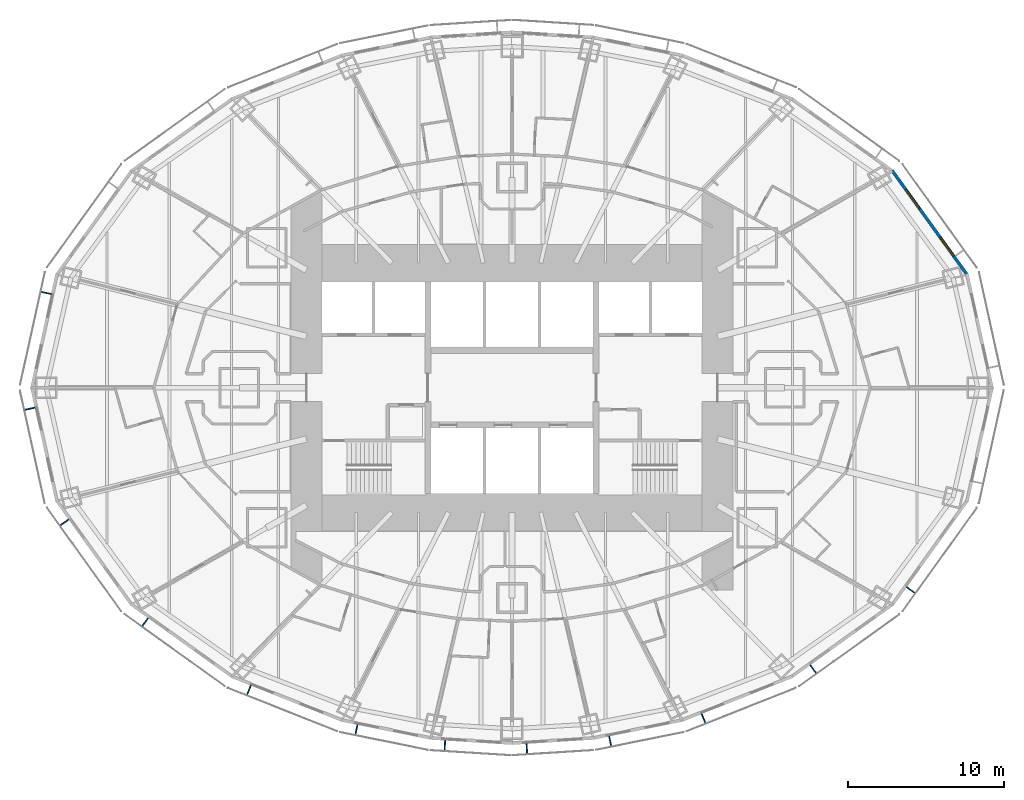
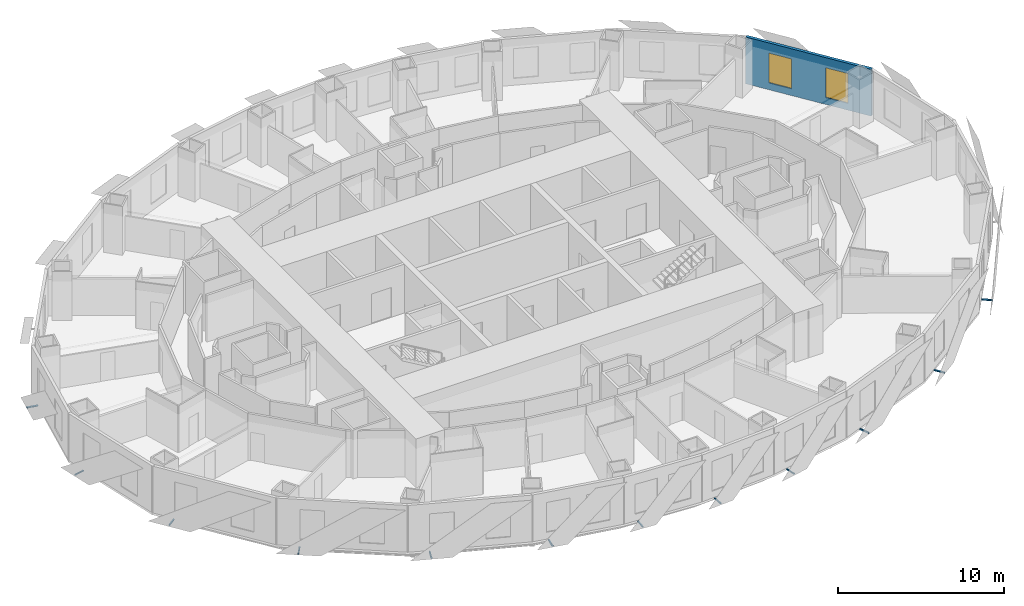
# One storey, part 11 of 15: 12 discrete accessories, 2 windows, 1 wall, 2 openings.
"""IFC4 building model written with IfcOpenShell, lengths in metres."""

from ifc_helpers import new_model, si_unit, direction, frame, frame_2d, origin, origin_2d, place, context, subcontext, project, spatial, rectangle, extrude, material, layer, layer_set, type_object, element, fill, save


model = new_model("IFC4")

# Units and contexts
model_context = context("Model", 3, precision=1e-05, world=origin(), true_north=direction((0.0, 1.0)))
body_context = subcontext(model_context, "Body", "Model", "MODEL_VIEW")
ifc_project = project(units=[si_unit("LENGTHUNIT", "METRE"), si_unit("AREAUNIT", "SQUARE_METRE"), si_unit("VOLUMEUNIT", "CUBIC_METRE"), si_unit("PLANEANGLEUNIT", "RADIAN"), si_unit("MASSUNIT", "GRAM", prefix="KILO")], contexts=[model_context])

# Site, building, storey
site_placement = place(None, origin())
site = spatial("IfcSite", under=ifc_project, at=site_placement, CompositionType="ELEMENT")
building_placement = place(site_placement, origin())
building = spatial("IfcBuilding", under=site, at=building_placement, Name="Lantaw Convention Tower", CompositionType="ELEMENT")
storey_placement = place(building_placement, frame((0.0, 0.0, 94.60009765625)))
storey = spatial("IfcBuildingStorey", under=building, at=storey_placement, Name="L22", CompositionType="ELEMENT", Elevation=94.60009765625)

# Wall, openings, windows
ifc_material_1 = material(Name="Insulated aluminium panel on steel frame", Category="steel")
ifc_layer = layer(ifc_material_1, 0.199951171875)
ifc_layer_set = layer_set([ifc_layer], Name="External wall 200")
wall_type = type_object("IfcWallType", Name="External wall 200", PredefinedType="SOLIDWALL", material=ifc_layer_set)
wall_placement = place(storey_placement, frame((29.260498046875, 7.199951171875, 0.0), z_axis=(0.0, 0.0, 1.0), x_axis=(-0.583937613703, 0.811798536155, 0.0)))
wall = element("IfcWall", 1, at=wall_placement, inside=storey, type_object=wall_type, Name="Facade panel wall", PredefinedType="SOLIDWALL", context=body_context, shape_type="SweptSolid", body=[
    extrude(rectangle(XDim=8.322998046875, YDim=0.199951171875, at=frame_2d((4.16162109375, 0.0))), origin(), (0.0, 0.0, 1.0), 3.449951171875),
])
opening_1_placement = place(wall_placement, frame((1.53076171875, 0.0, 0.5)))
opening_1 = element("IfcOpeningElement", 2, at=opening_1_placement, cuts=wall, Name="Opening W2", PredefinedType="OPENING", context=body_context, shape_type="SweptSolid", body=[
    extrude(rectangle(XDim=1.5, YDim=2.199951171875, at=frame_2d((0.75, 1.10009765625))), frame((0.0, 0.10986328125, 0.0), z_axis=(0.0, -1.0, 0.0), x_axis=(1.0, 0.0, 0.0)), (0.0, 0.0, 1.0), 0.219970703125),
])
opening_2_placement = place(wall_placement, frame((5.292236328125, 0.0, 0.5)))
opening_2 = element("IfcOpeningElement", 3, at=opening_2_placement, cuts=wall, Name="Opening W2", PredefinedType="OPENING", context=body_context, shape_type="SweptSolid", body=[
    extrude(rectangle(XDim=1.5, YDim=2.199951171875, at=frame_2d((0.75, 1.10009765625))), frame((0.0, 0.10986328125, 0.0), z_axis=(0.0, -1.0, 0.0), x_axis=(1.0, 0.0, 0.0)), (0.0, 0.0, 1.0), 0.219970703125),
])
ifc_material_2 = material(Name="Aluminium frame, clear insulating glass", Category="aluminium")
window_type = type_object("IfcWindowType", Name="Suite window 1500x2200", PartitioningType="SINGLE_PANEL", PredefinedType="WINDOW", material=ifc_material_2)
window_1_placement = place(opening_1_placement, origin())
window_1 = element("IfcWindow", 4, at=window_1_placement, inside=storey, type_object=window_type, Name="Guest room window", OverallHeight=2.199951171875, OverallWidth=1.5, PartitioningType="SINGLE_PANEL", PredefinedType="WINDOW", context=body_context, shape_type="SweptSolid", body=[
    extrude(rectangle(XDim=1.5, YDim=2.199951171875, at=frame_2d((0.75, 1.10009765625))), frame((0.0, 0.030029296875, 0.0), z_axis=(0.0, -1.0, 0.0), x_axis=(1.0, 0.0, 0.0)), (0.0, 0.0, 1.0), 0.06005859375),
])
fill(opening_1, window_1)
window_2_placement = place(opening_2_placement, origin())
window_2 = element("IfcWindow", 5, at=window_2_placement, inside=storey, type_object=window_type, Name="Guest room window", OverallHeight=2.199951171875, OverallWidth=1.5, PartitioningType="SINGLE_PANEL", PredefinedType="WINDOW", context=body_context, shape_type="SweptSolid", body=[
    extrude(rectangle(XDim=1.5, YDim=2.199951171875, at=frame_2d((0.75, 1.10009765625))), frame((0.0, 0.030029296875, 0.0), z_axis=(0.0, -1.0, 0.0), x_axis=(1.0, 0.0, 0.0)), (0.0, 0.0, 1.0), 0.06005859375),
])
fill(opening_2, window_2)

# Discrete accessories
for number, where, z_axis, x_axis, name in (
    (6, (-29.92333984375, 6.087890625, -0.115234375), (0.0, 0.0, 1.0), (-0.215246056391, -0.976559847223, 0.0), "Screen bracket"),
    (7, (-30.967529296875, -1.35009765625, -0.115234375), (0.0, 0.0, 1.0), (0.215246056391, -0.976559847223, 0.0), "Screen bracket"),
    (8, (-28.745849609375, -8.65869140625, -0.115234375), (0.0, 0.0, 1.0), (0.583951250436, -0.811788726895, 0.0), "Screen bracket"),
    (9, (-23.564453125, -15.06640625, -0.115234375), (0.0, 0.0, 1.0), (0.812803733199, -0.5825376308, 0.0), "Screen bracket"),
    (10, (-16.898193359375, -19.4345703125, -0.115234375), (0.0, 0.0, 1.0), (0.929361152748, -0.369171840425, 0.0), "Screen bracket"),
    (11, (-9.990478515625, -21.974365234375, -0.115234375), (0.0, 0.0, 1.0), (0.980244604501, -0.197789067813, 0.0), "Screen bracket"),
    (12, (-4.310302734375, -22.987548828125, -0.115234375), (0.0, 0.0, 1.0), (0.998016153807, -0.062958373078, 0.0), "Screen bracket"),
    (13, (0.9560546875, -23.19921875, -0.115234375), (0.0, 0.0, 1.0), (0.998016153807, 0.062958373078, 0.0), "Screen bracket"),
    (14, (6.307861328125, -22.71728515625, -0.115234375), (0.0, 0.0, 1.0), (0.980244604501, 0.197789067813, 0.0), "Screen bracket"),
    (15, (12.309814453125, -21.25732421875, -0.115234375), (0.0, 0.0, 1.0), (0.929361152748, 0.369171840425, 0.0), "Screen bracket"),
    (16, (19.352294921875, -18.085205078125, -0.115234375), (0.0, 0.0, 1.0), (0.812803733199, 0.5825376308, 0.0), "Screen bracket"),
    (17, (25.61962890625, -13.004638671875, -0.115234375), (0.0, 0.0, 1.0), (0.583951250436, 0.811788726895, 0.0), "Screen bracket"),
):
    element("IfcDiscreteAccessory", number, at=place(storey_placement, frame(where, z_axis=z_axis, x_axis=x_axis)), inside=storey, Name=name, PredefinedType="BRACKET", context=body_context, shape_type="SweptSolid", body=[
        extrude(rectangle(XDim=0.080078125, YDim=0.68798828125, at=origin_2d()), origin(), (0.0, 0.0, 1.0), 0.080078125),
    ])

save(model, "model.ifc")
